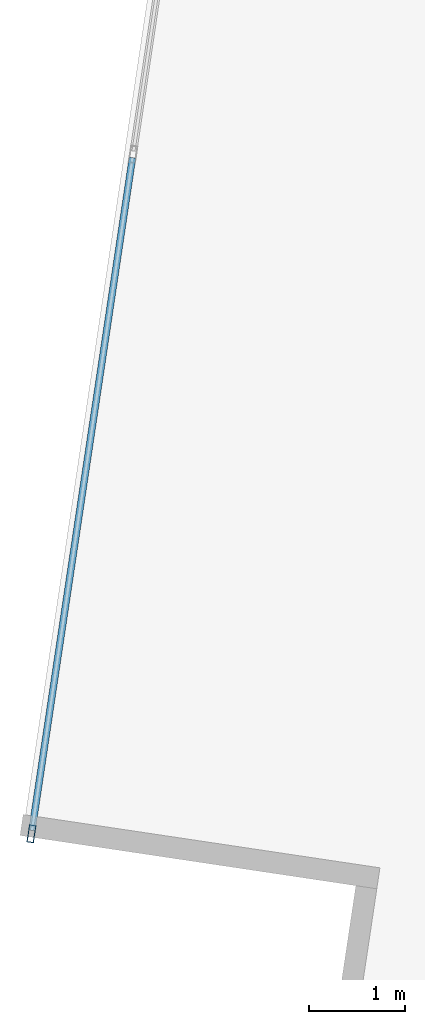
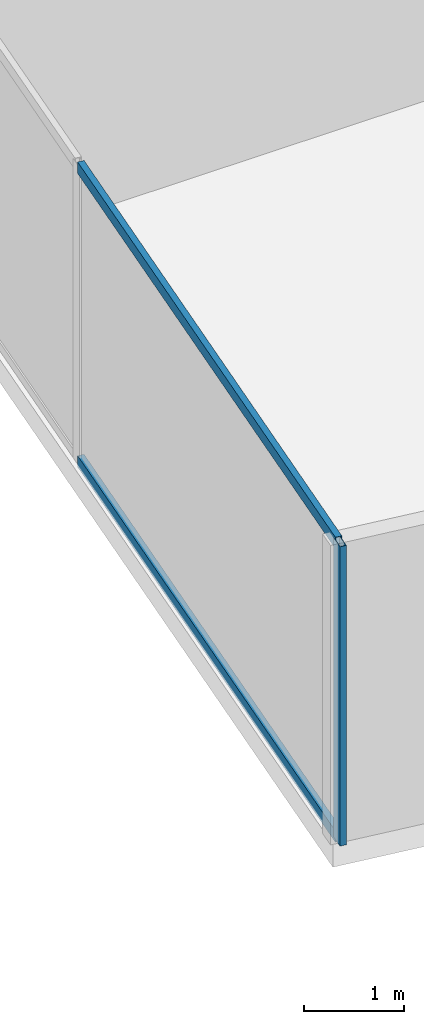
# One storey, part 3 of 29: 3 members, 1 element without a shape of its own.
"""IFC4 building model written with IfcOpenShell, lengths in metres."""

from ifc_helpers import new_model, si_unit, direction, frame, origin, origin_2d, place, context, subcontext, project, spatial, hollow_rectangle, extrude, source, transform, mapped, material, material_profile, profile_set, type_object, type_shapes, element, aggregate, save


model = new_model("IFC4")

# Units and contexts
model_context = context("Model", 3, precision=1e-05, world=origin(), true_north=direction((0.0, 1.0)))
body_context = subcontext(model_context, "Body", "Model", "MODEL_VIEW")
ifc_project = project(units=[si_unit("LENGTHUNIT", "METRE"), si_unit("AREAUNIT", "SQUARE_METRE"), si_unit("VOLUMEUNIT", "CUBIC_METRE"), si_unit("PLANEANGLEUNIT", "RADIAN"), si_unit("MASSUNIT", "GRAM", prefix="KILO")], contexts=[model_context])

# Site, building, storey
site_placement = place(None, origin())
site = spatial("IfcSite", under=ifc_project, at=site_placement, CompositionType="ELEMENT")
building_placement = place(site_placement, origin())
building = spatial("IfcBuilding", under=site, at=building_placement, Name="Krantzveldt Concourse Tower", CompositionType="ELEMENT")
storey_placement = place(building_placement, frame((0.0, 0.0, 72.39990234375)))
storey = spatial("IfcBuildingStorey", under=building, at=storey_placement, Name="L17", CompositionType="ELEMENT", Elevation=72.39990234375)

# Curtain wall, members
ifc_material = material(Name="Anodised aluminium 6063-T6", Category="aluminium")
curtain_wall_type = type_object("IfcCurtainWallType", Name="CW2", PredefinedType="USERDEFINED", material=ifc_material)
curtain_wall_placement = place(storey_placement, origin())
curtain_wall = element("IfcCurtainWall", 1, at=curtain_wall_placement, inside=storey, type_object=curtain_wall_type, Name="CW-L17-F01", ObjectType="UNITISED CURTAIN WALL", PredefinedType="USERDEFINED")
ifc_material_profile_1 = material_profile(ifc_material, hollow_rectangle(XDim=0.070068359375, YDim=0.139892578125, WallThickness=0.0048828125, at=origin_2d()), Name="Anodised aluminium 6063-T6", Category="aluminium")
ifc_profile_set_1 = profile_set([ifc_material_profile_1], Name="Anodised aluminium 6063-T6 - ALU-TRAN 140x70x5")
member_type_1 = type_object("IfcMemberType", Name="CW-TRN-150", PredefinedType="USERDEFINED", material=ifc_profile_set_1)
shared_shape_1 = source(origin(), body_context, "Body", "SweptSolid", [
    extrude(hollow_rectangle(XDim=0.070068359375, YDim=0.139892578125, WallThickness=0.0048828125, at=origin_2d()), origin(), (0.0, 0.0, 1.0), 7.061767578125),
])
type_shapes(member_type_1, [shared_shape_1])
member_1_placement = place(storey_placement, frame((9.23974609375, 16.17138671875, 0.03515625), z_axis=(-0.147797751082, -0.989017605897, 0.0), x_axis=(0.989017605897, -0.147797751082, 0.0)))
member_1 = element("IfcMember", 2, at=member_1_placement, type_object=member_type_1, Name="CW-Z12 transom 6.1", ObjectType="TRANSOM", PredefinedType="USERDEFINED", context=body_context, shape_type="MappedRepresentation", body=[
    mapped(shared_shape_1, transform((0.0, 0.0, 0.0), x_axis=(1.0, 0.0, 0.0), y_axis=(0.0, 1.0, 0.0), z_axis=(0.0, 0.0, 1.0), scale=1.0)),
])
member_2_placement = place(storey_placement, frame((9.23974609375, 16.17138671875, 3.635009765625), z_axis=(-0.147797751082, -0.989017605897, 0.0), x_axis=(0.989017605897, -0.147797751082, 0.0)))
member_2 = element("IfcMember", 3, at=member_2_placement, type_object=member_type_1, Name="CW-Z12 transom 6.2", ObjectType="TRANSOM", PredefinedType="USERDEFINED", context=body_context, shape_type="MappedRepresentation", body=[
    mapped(shared_shape_1, transform((0.0, 0.0, 0.0), x_axis=(1.0, 0.0, 0.0), y_axis=(0.0, 1.0, 0.0), z_axis=(0.0, 0.0, 1.0), scale=1.0)),
])
ifc_material_profile_2 = material_profile(ifc_material, hollow_rectangle(XDim=0.070068359375, YDim=0.179931640625, WallThickness=0.0048828125, at=origin_2d()), Name="Anodised aluminium 6063-T6", Category="aluminium")
ifc_profile_set_2 = profile_set([ifc_material_profile_2], Name="Anodised aluminium 6063-T6 - ALU-MULL 180x70x5")
member_type_2 = type_object("IfcMemberType", Name="CW-MUL-180", PredefinedType="MULLION", material=ifc_profile_set_2)
shared_shape_2 = source(origin(), body_context, "Body", "SweptSolid", [
    extrude(hollow_rectangle(XDim=0.070068359375, YDim=0.179931640625, WallThickness=0.0048828125, at=origin_2d()), origin(), (0.0, 0.0, 1.0), 3.670166015625),
])
type_shapes(member_type_2, [shared_shape_2])
member_3_placement = place(storey_placement, frame((8.19091796875, 9.152587890625, 0.0), z_axis=(0.0, 0.0, 1.0), x_axis=(0.989015849271, -0.147809505412, 0.0)))
member_3 = element("IfcMember", 4, at=member_3_placement, type_object=member_type_2, Name="CW-Z12 mullion 7", PredefinedType="MULLION", context=body_context, shape_type="MappedRepresentation", body=[
    mapped(shared_shape_2, transform((0.0, 0.0, 0.0), x_axis=(1.0, 0.0, 0.0), y_axis=(0.0, 1.0, 0.0), z_axis=(0.0, 0.0, 1.0), scale=1.0)),
])
aggregate(curtain_wall, [member_3, member_1, member_2])

save(model, "model.ifc")
